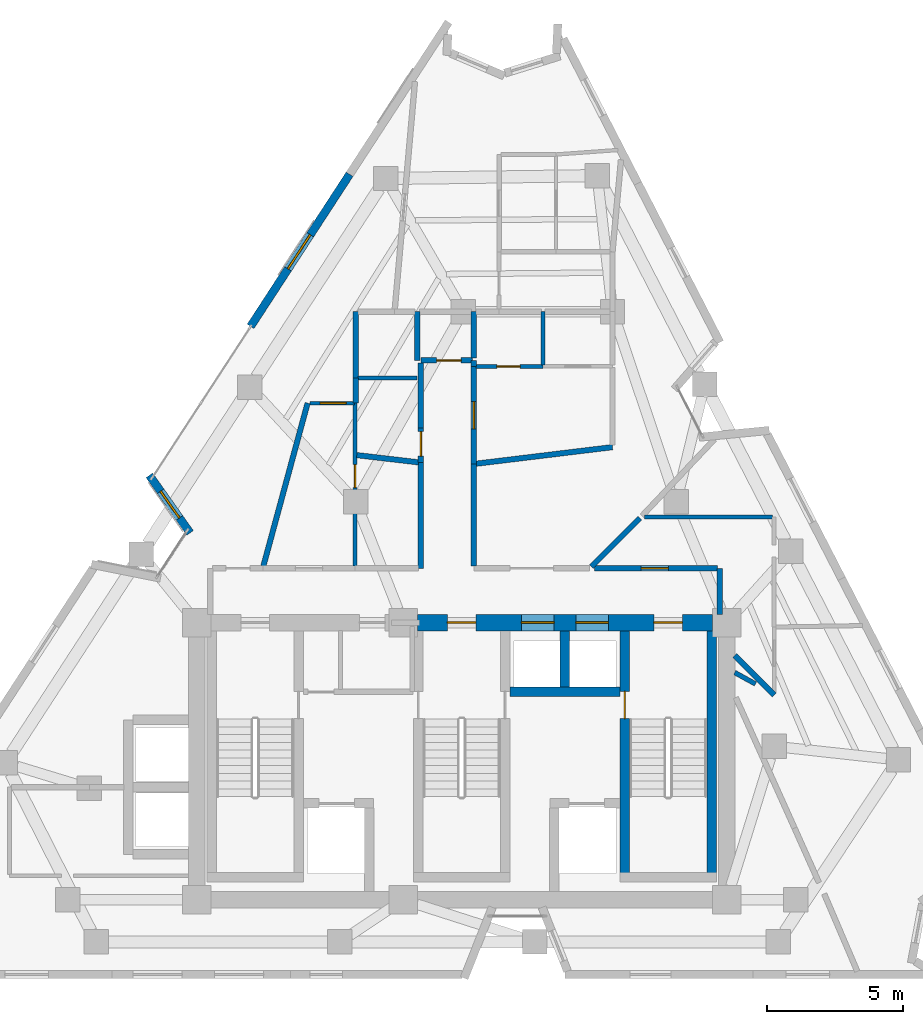
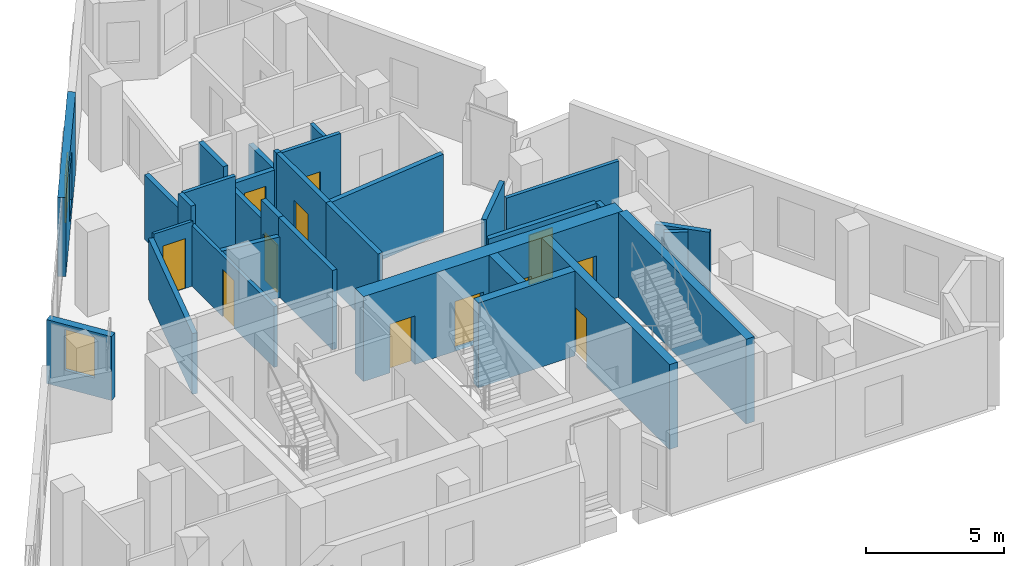
# One storey, part 6 of 9: 32 walls, 12 doors, 2 windows, 14 openings.
"""IFC4 building model written with IfcOpenShell, lengths in metres."""

import ifcopenshell
import ifcopenshell.guid

model = None  # the IFC model being written
_history = None  # IfcOwnerHistory: only IFC2X3 demands one
_inside = {}  # id of a spatial element -> (the spatial element, [elements in it])
_under = {}  # id of a project, library or spatial element -> (it, [spatial elements below it])
_declared = {}  # id of a project -> (the project, [libraries it declares])
_typed = {}  # id of a type object -> (the type object, [elements of that type])
_made_of = {}  # id of a material, layer set ... -> (it, [elements and type objects made of it])


def new_model(schema):
    """Start an empty IFC model of exactly this schema.

    Asked for "IFC4X3", IfcOpenShell would pick the latest addendum, in which some entities
    have other attributes; the version numbers below select the first issue.
    IFC2X3 requires an IfcOwnerHistory on every rooted entity: one is made here for all.
    """
    global model, _history
    if schema == "IFC4X3":
        model = ifcopenshell.file(schema_version=(4, 3, 0, 0))
    else:
        model = ifcopenshell.file(schema=schema)
    _inside.clear()
    _under.clear()
    _declared.clear()
    _typed.clear()
    _made_of.clear()
    _history = None
    if model.schema == "IFC2X3":
        org = make("IfcOrganization", Name="unknown")
        user = make(
            "IfcPersonAndOrganization",
            ThePerson=make("IfcPerson", FamilyName="unknown"),
            TheOrganization=org,
        )
        app = make(
            "IfcApplication",
            ApplicationDeveloper=org,
            Version="unknown",
            ApplicationFullName="unknown",
            ApplicationIdentifier="unknown",
        )
        _history = make(
            "IfcOwnerHistory",
            OwningUser=user,
            OwningApplication=app,
            ChangeAction="ADDED",
            CreationDate=0,
        )
    return model


def make(cls, **values):
    """One entity of the class cls with the attributes given. An attribute that is None is left unset."""
    return model.create_entity(
        cls, **{name: value for name, value in values.items() if value is not None}
    )


def rooted(cls, **values):
    """An entity with a GlobalId (a new one), such as an element, a storey or a relation."""
    return make(cls, GlobalId=ifcopenshell.guid.new(), OwnerHistory=_history, **values)


def si_unit(unit_type, name, prefix=None):
    """IfcSIUnit, for example si_unit("LENGTHUNIT", "METRE", prefix="MILLI")."""
    return make("IfcSIUnit", UnitType=unit_type, Prefix=prefix, Name=name)


def assignment(units):
    """IfcUnitAssignment: the units of a project."""
    return None if units is None else make("IfcUnitAssignment", Units=units)


def point(xyz):
    """IfcCartesianPoint."""
    return None if xyz is None else make("IfcCartesianPoint", Coordinates=xyz)


def direction(xyz):
    """IfcDirection."""
    return None if xyz is None else make("IfcDirection", DirectionRatios=xyz)


def frame(location, z_axis=None, x_axis=None):
    """IfcAxis2Placement3D, a coordinate frame: its origin and axes. An axis left out is left unset."""
    return make(
        "IfcAxis2Placement3D",
        Location=point(location),
        Axis=direction(z_axis),
        RefDirection=direction(x_axis),
    )


def frame_2d(location, x_axis=None):
    """IfcAxis2Placement2D, a coordinate frame in the plane: its origin and x axis."""
    return make(
        "IfcAxis2Placement2D", Location=point(location), RefDirection=direction(x_axis)
    )


def origin():
    """The frame at (0, 0, 0) with its axes left unset."""
    return frame((0.0, 0.0, 0.0))


def place(relative_to, where):
    """IfcLocalPlacement: puts the frame where relative to a parent placement (None: the world)."""
    return make(
        "IfcLocalPlacement", PlacementRelTo=relative_to, RelativePlacement=where
    )


def context(
    kind, dimensions, precision=None, world=None, true_north=None, identifier=None
):
    """IfcGeometricRepresentationContext, for example the 3D "Model" context."""
    return make(
        "IfcGeometricRepresentationContext",
        ContextIdentifier=identifier,
        ContextType=kind,
        CoordinateSpaceDimension=dimensions,
        Precision=precision,
        WorldCoordinateSystem=world,
        TrueNorth=true_north,
    )


def subcontext(parent, identifier, kind, view, scale=None):
    """IfcGeometricRepresentationSubContext, for example "Body" below "Model"."""
    return make(
        "IfcGeometricRepresentationSubContext",
        ContextIdentifier=identifier,
        ContextType=kind,
        ParentContext=parent,
        TargetScale=scale,
        TargetView=view,
    )


def project(units=None, contexts=None):
    """IfcProject with its units and contexts."""
    return rooted(
        "IfcProject",
        Name="project",
        RepresentationContexts=contexts,
        UnitsInContext=assignment(units),
    )


def spatial(cls, under=None, at=None, **own):
    """A site, building, storey or space (cls), placed at a placement, below another one or the project."""
    s = rooted(cls, ObjectPlacement=at, **own)
    if under is not None:
        _under.setdefault(under.id(), (under, []))[1].append(s)
    return s


def profile(cls, at=None, kind="AREA", **sizes):
    """A parametric profile (cls). Its sizes go by their IFC names, for example OverallWidth=200.0."""
    return make(cls, ProfileType=kind, Position=at, **sizes)


def rectangle(**sizes):
    """IfcRectangleProfileDef."""
    return profile("IfcRectangleProfileDef", **sizes)


def extrude(swept, where, along, depth):
    """IfcExtrudedAreaSolid: the profile swept, set in the frame where, extruded along a direction by depth."""
    return make(
        "IfcExtrudedAreaSolid",
        SweptArea=swept,
        Position=where,
        ExtrudedDirection=direction(along),
        Depth=depth,
    )


def shape(context_of_items, identifier, shape_type, items):
    """IfcShapeRepresentation: the items that make up one representation, for example the "Body"."""
    return make(
        "IfcShapeRepresentation",
        ContextOfItems=context_of_items,
        RepresentationIdentifier=identifier,
        RepresentationType=shape_type,
        Items=items,
    )


def material(Name=None, Category=None):
    """IfcMaterial."""
    return make("IfcMaterial", Name=Name, Category=Category)


def layer(
    of_material, thickness, ventilated=None, Name=None, Category=None, Priority=None
):
    """IfcMaterialLayer: one layer of a wall or slab, of a material (None: an air gap)."""
    return make(
        "IfcMaterialLayer",
        Material=of_material,
        LayerThickness=thickness,
        IsVentilated=ventilated,
        Name=Name,
        Category=Category,
        Priority=Priority,
    )


def layer_set(layers, Name=None):
    """IfcMaterialLayerSet."""
    return make("IfcMaterialLayerSet", MaterialLayers=layers, LayerSetName=Name)


def made_of(thing, what):
    """Note that an element or type object is made of a material, layer set ...; save() writes the relation."""
    if what is not None:
        _made_of.setdefault(what.id(), (what, []))[1].append(thing)
    return thing


def type_object(cls, material=None, **own):
    """A type object (cls), such as IfcWallType, which elements share."""
    return made_of(rooted(cls, **own), material)


def element(
    cls,
    number,
    at=None,
    inside=None,
    cuts=None,
    type_object=None,
    material=None,
    context=None,
    identifier="Body",
    shape_type=None,
    held_by="IfcProductDefinitionShape",
    body=None,
    shapes=None,
    **own,
):
    """One element of the class cls, such as IfcWall. Its Tag is "e" and its number.

    at: its placement. inside: the storey or other place that contains it. cuts: it is an
    opening in that element (IfcRelVoidsElement). A single representation is given by context,
    identifier, shape_type and body (its items); several are given by shapes. held_by: the class
    of the entity that holds the representations. save() writes the other relations.
    """
    e = rooted(cls, Tag="e%d" % number, ObjectPlacement=at, **own)
    if body is not None:
        shapes = [shape(context, identifier, shape_type, body)]
    if shapes is not None:
        e.Representation = make(held_by, Representations=shapes)
    if inside is not None:
        _inside.setdefault(inside.id(), (inside, []))[1].append(e)
    if cuts is not None:
        rooted(
            "IfcRelVoidsElement", RelatingBuildingElement=cuts, RelatedOpeningElement=e
        )
    if type_object is not None:
        _typed.setdefault(type_object.id(), (type_object, []))[1].append(e)
    return made_of(e, material)


def fill(opening, filler):
    """IfcRelFillsElement: the door or window that sits in an opening."""
    return rooted(
        "IfcRelFillsElement",
        RelatingOpeningElement=opening,
        RelatedBuildingElement=filler,
    )


def aggregate(whole, parts):
    """IfcRelAggregates: a whole, such as a stair, and the parts it consists of."""
    return rooted("IfcRelAggregates", RelatingObject=whole, RelatedObjects=parts)


def save(model, path):
    """Write the relations noted so far, then the file.

    IfcRelAggregates (storeys below a building ...), IfcRelContainedInSpatialStructure (elements
    in a storey), IfcRelDefinesByType, IfcRelAssociatesMaterial and IfcRelDeclares: one each for
    every whole, place, type object, material and project.
    """
    for whole, parts in _under.values():
        aggregate(whole, parts)
    for where, things in _inside.values():
        rooted(
            "IfcRelContainedInSpatialStructure",
            RelatedElements=things,
            RelatingStructure=where,
        )
    for kind, things in _typed.values():
        rooted("IfcRelDefinesByType", RelatedObjects=things, RelatingType=kind)
    for what, things in _made_of.values():
        rooted("IfcRelAssociatesMaterial", RelatedObjects=things, RelatingMaterial=what)
    for by, libraries in _declared.values():
        rooted("IfcRelDeclares", RelatingContext=by, RelatedDefinitions=libraries)
    model.write(path)


model = new_model("IFC4")

# Units and contexts
model_context = context("Model", 3, precision=1e-05, world=origin(), true_north=direction((0.0, 1.0)))
body_context = subcontext(model_context, "Body", "Model", "MODEL_VIEW")
ifc_project = project(units=[si_unit("LENGTHUNIT", "METRE"), si_unit("AREAUNIT", "SQUARE_METRE"), si_unit("VOLUMEUNIT", "CUBIC_METRE"), si_unit("PLANEANGLEUNIT", "RADIAN"), si_unit("MASSUNIT", "GRAM", prefix="KILO")], contexts=[model_context])

# Site, building, storey
site_placement = place(None, origin())
site = spatial("IfcSite", under=ifc_project, at=site_placement, CompositionType="ELEMENT")
building_placement = place(site_placement, origin())
building = spatial("IfcBuilding", under=site, at=building_placement, Name="Almagre Mirador Tower", CompositionType="ELEMENT")
storey_placement = place(building_placement, frame((0.0, 0.0, 214.5)))
storey = spatial("IfcBuildingStorey", under=building, at=storey_placement, Name="L55", CompositionType="ELEMENT", Elevation=214.5)

# Wall, opening, window
ifc_material_1 = material(Name="Precast concrete C50/60", Category="concrete")
ifc_layer_1 = layer(ifc_material_1, 0.300048828125)
ifc_layer_set_1 = layer_set([ifc_layer_1], Name="Precast concrete C50/60")
wall_type_1 = type_object("IfcWallType", Name="WAL-EXT-300", PredefinedType="SOLIDWALL", material=ifc_layer_set_1)
wall_1_placement = place(storey_placement, frame((27.3017578125, 18.052490234375, 0.0), z_axis=(0.0, 0.0, 1.0), x_axis=(-0.576912262752, 0.816806122092, 0.0)))
wall_1 = element("IfcWall", 1, at=wall_1_placement, inside=storey, type_object=wall_type_1, Name="L55 expressed almagre precast frame wall 02", PredefinedType="SOLIDWALL", context=body_context, shape_type="SweptSolid", body=[
    extrude(rectangle(XDim=2.59423828125, YDim=0.300048828125, at=frame_2d((1.297119140625, 0.0))), origin(), (0.0, 0.0, 1.0), 2.824951171875),
])
opening_1_placement = place(wall_1_placement, frame((0.675048828125, 0.0, 0.800048828125)))
opening_1 = element("IfcOpeningElement", 2, at=opening_1_placement, cuts=wall_1, Name="Opening WN-04", PredefinedType="OPENING", context=body_context, shape_type="SweptSolid", body=[
    extrude(rectangle(XDim=1.199951171875, YDim=1.800048828125, at=frame_2d((0.60009765625, 0.89990234375))), frame((0.0, 0.159902, 0.0), z_axis=(0.0, -1.0, 0.0), x_axis=(1.0, 0.0, 0.0)), (0.0, 0.0, 1.0), 0.320049),
])
ifc_material_2 = material(Name="Dark solar-control laminated hurricane glass", Category="glass")
window_type_1 = type_object("IfcWindowType", Name="WIN-1200X1800", PartitioningType="SINGLE_PANEL", PredefinedType="WINDOW", material=ifc_material_2)
window_1_placement = place(opening_1_placement, origin())
window_1 = element("IfcWindow", 3, at=window_1_placement, inside=storey, type_object=window_type_1, Name="L55 recessed hurricane window L55-RST-F", OverallHeight=1.800048828125, OverallWidth=1.199951171875, PartitioningType="SINGLE_PANEL", PredefinedType="WINDOW", context=body_context, shape_type="SweptSolid", body=[
    extrude(rectangle(XDim=1.199951171875, YDim=1.800048828125, at=frame_2d((0.60009765625, 0.89990234375))), frame((0.0, 0.030029296875, 0.0), z_axis=(0.0, -1.0, 0.0), x_axis=(1.0, 0.0, 0.0)), (0.0, 0.0, 1.0), 0.06005859375),
])
fill(opening_1, window_1)

wall_2_placement = place(storey_placement, frame((29.530029296875, 25.654052734375, 0.0), z_axis=(0.0, 0.0, 1.0), x_axis=(0.545624217243, 0.838029959821, 0.0)))
wall_2 = element("IfcWall", 4, at=wall_2_placement, inside=storey, type_object=wall_type_1, Name="L55 expressed almagre precast frame wall 03", PredefinedType="SOLIDWALL", context=body_context, shape_type="SweptSolid", body=[
    extrude(rectangle(XDim=6.6787109375, YDim=0.300048828125, at=frame_2d((3.33935546875, 0.0))), origin(), (0.0, 0.0, 1.0), 3.5),
])
opening_2_placement = place(wall_2_placement, frame((2.52490234375, 0.0, 0.60009765625)))
opening_2 = element("IfcOpeningElement", 5, at=opening_2_placement, cuts=wall_2, Name="Opening WN-03", PredefinedType="OPENING", context=body_context, shape_type="SweptSolid", body=[
    extrude(rectangle(XDim=1.5, YDim=2.10009765625, at=frame_2d((0.75, 1.050048828125))), frame((0.0, 0.159902, 0.0), z_axis=(0.0, -1.0, 0.0), x_axis=(1.0, 0.0, 0.0)), (0.0, 0.0, 1.0), 0.320049),
])
ifc_material_3 = material(Name="Dark solar-control laminated hurricane glass", Category="glass")
window_type_2 = type_object("IfcWindowType", Name="WIN-1500X2100", PartitioningType="DOUBLE_PANEL_VERTICAL", PredefinedType="WINDOW", material=ifc_material_3)
window_2_placement = place(opening_2_placement, origin())
window_2 = element("IfcWindow", 6, at=window_2_placement, inside=storey, type_object=window_type_2, Name="L55 recessed hurricane window L55-RST-F", OverallHeight=2.10009765625, OverallWidth=1.5, PartitioningType="SINGLE_PANEL", PredefinedType="WINDOW", context=body_context, shape_type="SweptSolid", body=[
    extrude(rectangle(XDim=1.5, YDim=2.10009765625, at=frame_2d((0.75, 1.050048828125))), frame((0.0, 0.030029296875, 0.0), z_axis=(0.0, -1.0, 0.0), x_axis=(1.0, 0.0, 0.0)), (0.0, 0.0, 1.0), 0.06005859375),
])
fill(opening_2, window_2)

# Wall, opening, door
ifc_material_4 = material(Name="Gypsum acoustic stud partition", Category="other")
ifc_layer_2 = layer(ifc_material_4, 0.125)
ifc_layer_set_2 = layer_set([ifc_layer_2], Name="Gypsum acoustic stud partition")
wall_type_2 = type_object("IfcWallType", Name="WAL-PRT-125-UTL", PredefinedType="PARTITIONING", material=ifc_layer_set_2)
wall_3_placement = place(storey_placement, frame((33.360107421875, 22.830078125, 0.0), z_axis=(0.0, 0.0, 1.0), x_axis=(-1.0, 0.0, 0.0)))
wall_3 = element("IfcWall", 7, at=wall_3_placement, inside=storey, type_object=wall_type_2, Name="L55 interior partition 047", PredefinedType="PARTITIONING", context=body_context, shape_type="SweptSolid", body=[
    extrude(rectangle(XDim=1.64501953125, YDim=0.125, at=frame_2d((0.822509765625, 0.0))), origin(), (0.0, 0.0, 1.0), 2.85888671875),
])
opening_3_placement = place(wall_3_placement, frame((0.31591796875, 0.0, 0.0)))
opening_3 = element("IfcOpeningElement", 8, at=opening_3_placement, cuts=wall_3, Name="Opening UD-01", PredefinedType="OPENING", context=body_context, shape_type="SweptSolid", body=[
    extrude(rectangle(XDim=0.949951171875, YDim=2.199951171875, at=frame_2d((0.47509765625, 1.10009765625))), frame((0.0, 0.0725, 0.0), z_axis=(0.0, -1.0, 0.0), x_axis=(1.0, 0.0, 0.0)), (0.0, 0.0, 1.0), 0.145),
])
ifc_material_5 = material(Name="Solid American walnut timber", Category="wood")
door_type_1 = type_object("IfcDoorType", Name="DOR-UNR-950X2200", OperationType="NOTDEFINED", PredefinedType="DOOR", material=ifc_material_5)
door_1_placement = place(opening_3_placement, origin())
door_1 = element("IfcDoor", 9, at=door_1_placement, inside=storey, type_object=door_type_1, Name="DR-1710 L55 interior door L55-UG-ST to L55-UG-KT", OperationType="SINGLE_SWING_LEFT", OverallHeight=2.199951171875, OverallWidth=0.949951171875, PredefinedType="DOOR", context=body_context, shape_type="SweptSolid", body=[
    extrude(rectangle(XDim=0.949951171875, YDim=2.199951171875, at=frame_2d((0.47509765625, 1.10009765625))), frame((0.0, 0.02490234375, 0.0), z_axis=(0.0, -1.0, 0.0), x_axis=(1.0, 0.0, 0.0)), (0.0, 0.0, 1.0), 0.050048828125),
])
fill(opening_3, door_1)

# Wall
ifc_material_6 = material(Name="Gypsum acoustic stud partition", Category="other")
ifc_layer_3 = layer(ifc_material_6, 0.14990234375)
ifc_layer_set_3 = layer_set([ifc_layer_3], Name="Gypsum acoustic stud partition")
wall_type_3 = type_object("IfcWallType", Name="WAL-PRT-150-STD", PredefinedType="PARTITIONING", material=ifc_layer_set_3)
wall_4_placement = place(storey_placement, frame((48.739990234375, 18.639892578125, 0.0), z_axis=(0.0, 0.0, 1.0), x_axis=(-1.0, 0.0, 0.0)))
element("IfcWall", 10, at=wall_4_placement, inside=storey, type_object=wall_type_3, Name="L55 interior partition 038", PredefinedType="PARTITIONING", context=body_context, shape_type="SweptSolid", body=[
    extrude(rectangle(XDim=4.705078125, YDim=0.14990234375, at=frame_2d((2.3525390625, 0.0))), origin(), (0.0, 0.0, 1.0), 2.68505859375),
])

# Wall, opening, door
wall_5_placement = place(storey_placement, frame((33.3798828125, 22.830078125, 0.0), z_axis=(0.0, 0.0, 1.0), x_axis=(0.0, -1.0, 0.0)))
wall_5 = element("IfcWall", 11, at=wall_5_placement, inside=storey, type_object=wall_type_3, Name="L55 interior partition 046", PredefinedType="PARTITIONING", context=body_context, shape_type="SweptSolid", body=[
    extrude(rectangle(XDim=5.9951171875, YDim=0.14990234375, at=frame_2d((2.99755859375, 0.0))), origin(), (0.0, 0.0, 1.0), 2.68505859375),
])
opening_4_placement = place(wall_5_placement, frame((2.261474609375, 0.0, 0.0)))
opening_4 = element("IfcOpeningElement", 12, at=opening_4_placement, cuts=wall_5, Name="Opening UD-04", PredefinedType="OPENING", context=body_context, shape_type="SweptSolid", body=[
    extrude(rectangle(XDim=0.85009765625, YDim=2.10009765625, at=frame_2d((0.425048828125, 1.050048828125))), frame((0.0, 0.084951, 0.0), z_axis=(0.0, -1.0, 0.0), x_axis=(1.0, 0.0, 0.0)), (0.0, 0.0, 1.0), 0.169902),
])
ifc_material_7 = material(Name="Moisture-resistant oak timber", Category="wood")
door_type_2 = type_object("IfcDoorType", Name="DOR-UNR-850X2100", OperationType="NOTDEFINED", PredefinedType="DOOR", material=ifc_material_7)
door_2_placement = place(opening_4_placement, origin())
door_2 = element("IfcDoor", 13, at=door_2_placement, inside=storey, type_object=door_type_2, Name="DR-1711 L55 interior door L55-UG-ST to L55-UG-BT", OperationType="SINGLE_SWING_RIGHT", OverallHeight=2.10009765625, OverallWidth=0.85009765625, PredefinedType="DOOR", context=body_context, shape_type="SweptSolid", body=[
    extrude(rectangle(XDim=0.85009765625, YDim=2.10009765625, at=frame_2d((0.425048828125, 1.050048828125))), frame((0.0, 0.02490234375, 0.0), z_axis=(0.0, -1.0, 0.0), x_axis=(1.0, 0.0, 0.0)), (0.0, 0.0, 1.0), 0.050048828125),
])
fill(opening_4, door_2)

# Wall
wall_6_placement = place(storey_placement, frame((35.659912109375, 23.75, 0.0), z_axis=(0.0, 0.0, 1.0), x_axis=(-1.0, 0.0, 0.0)))
element("IfcWall", 14, at=wall_6_placement, inside=storey, type_object=wall_type_3, Name="L55 interior partition 057", PredefinedType="PARTITIONING", context=body_context, shape_type="SweptSolid", body=[
    extrude(rectangle(XDim=2.1748046875, YDim=0.14990234375, at=frame_2d((1.08740234375, 0.0))), origin(), (0.0, 0.0, 1.0), 3.5),
])

# Wall, opening, door
wall_7_placement = place(storey_placement, frame((40.300048828125, 24.179931640625, 0.0), z_axis=(0.0, 0.0, 1.0), x_axis=(-1.0, 0.0, 0.0)))
wall_7 = element("IfcWall", 15, at=wall_7_placement, inside=storey, type_object=wall_type_3, Name="L55 interior partition 060", PredefinedType="PARTITIONING", context=body_context, shape_type="SweptSolid", body=[
    extrude(rectangle(XDim=2.465087890625, YDim=0.14990234375, at=frame_2d((1.232421875, 0.0))), origin(), (0.0, 0.0, 1.0), 3.5),
])
opening_5_placement = place(wall_7_placement, frame((0.85009765625, 0.0, 0.0)))
opening_5 = element("IfcOpeningElement", 16, at=opening_5_placement, cuts=wall_7, Name="Opening UD-04", PredefinedType="OPENING", context=body_context, shape_type="SweptSolid", body=[
    extrude(rectangle(XDim=0.85009765625, YDim=2.10009765625, at=frame_2d((0.425048828125, 1.050048828125))), frame((0.0, 0.084951, 0.0), z_axis=(0.0, -1.0, 0.0), x_axis=(1.0, 0.0, 0.0)), (0.0, 0.0, 1.0), 0.169902),
])
door_3_placement = place(opening_5_placement, origin())
door_3 = element("IfcDoor", 17, at=door_3_placement, inside=storey, type_object=door_type_2, Name="DR-1715 L55 interior door L55-UJ-ST to L55-UJ-BT", OperationType="SINGLE_SWING_RIGHT", OverallHeight=2.10009765625, OverallWidth=0.85009765625, PredefinedType="DOOR", context=body_context, shape_type="SweptSolid", body=[
    extrude(rectangle(XDim=0.85009765625, YDim=2.10009765625, at=frame_2d((0.425048828125, 1.050048828125))), frame((0.0, 0.02490234375, 0.0), z_axis=(0.0, -1.0, 0.0), x_axis=(1.0, 0.0, 0.0)), (0.0, 0.0, 1.0), 0.050048828125),
])
fill(opening_5, door_3)

# Walls
wall_8_placement = place(storey_placement, frame((40.300048828125, 26.199951171875, 0.0), z_axis=(0.0, 0.0, 1.0), x_axis=(0.0, -1.0, 0.0)))
element("IfcWall", 18, at=wall_8_placement, inside=storey, type_object=wall_type_3, Name="L55 interior partition 063", PredefinedType="PARTITIONING", context=body_context, shape_type="SweptSolid", body=[
    extrude(rectangle(XDim=1.972412109375, YDim=0.14990234375, at=frame_2d((0.986328125, 0.0))), origin(), (0.0, 0.0, 1.0), 2.68505859375),
])
ifc_material_8 = material(Name="Gypsum acoustic stud partition", Category="other")
ifc_layer_4 = layer(ifc_material_8, 0.175048828125)
ifc_layer_set_4 = layer_set([ifc_layer_4], Name="Gypsum acoustic stud partition")
wall_type_4 = type_object("IfcWallType", Name="WAL-PRT-175-AC", PredefinedType="PARTITIONING", material=ifc_layer_set_4)
wall_9_placement = place(storey_placement, frame((47.35009765625, 12.9140625, 0.0), z_axis=(0.0, 0.0, 1.0), x_axis=(0.876281108122, -0.481800186331, 0.0)))
element("IfcWall", 19, at=wall_9_placement, inside=storey, type_object=wall_type_4, Name="L55 interior partition 078", PredefinedType="PARTITIONING", context=body_context, shape_type="SweptSolid", body=[
    extrude(rectangle(XDim=0.86962890625, YDim=0.175048828125, at=frame_2d((0.434814453125, 0.0))), origin(), (0.0, 0.0, 1.0), 3.5),
])
ifc_material_9 = material(Name="Gypsum acoustic stud partition", Category="other")
ifc_layer_5 = layer(ifc_material_9, 0.199951171875)
ifc_layer_set_5 = layer_set([ifc_layer_5], Name="Gypsum acoustic stud partition")
wall_type_5 = type_object("IfcWallType", Name="WAL-PRT-200-EI60", PredefinedType="PARTITIONING", material=ifc_layer_set_5)
wall_10_placement = place(storey_placement, frame((46.800048828125, 15.050048828125, 0.0), z_axis=(0.0, 0.0, 1.0), x_axis=(0.0, 1.0, 0.0)))
element("IfcWall", 20, at=wall_10_placement, inside=storey, type_object=wall_type_5, Name="L55 interior partition 002", PredefinedType="PARTITIONING", context=body_context, shape_type="SweptSolid", body=[
    extrude(rectangle(XDim=1.699951171875, YDim=0.199951171875, at=frame_2d((0.85009765625, 0.0))), origin(), (0.0, 0.0, 1.0), 2.68505859375),
])

# Wall, opening, door
wall_11_placement = place(storey_placement, frame((46.715087890625, 16.75, 0.0), z_axis=(0.0, 0.0, 1.0), x_axis=(-1.0, 0.0, 0.0)))
wall_11 = element("IfcWall", 21, at=wall_11_placement, inside=storey, type_object=wall_type_5, Name="L55 interior partition 003", PredefinedType="PARTITIONING", context=body_context, shape_type="SweptSolid", body=[
    extrude(rectangle(XDim=4.53515625, YDim=0.199951171875, at=frame_2d((2.267578125, 0.0))), origin(), (0.0, 0.0, 1.0), 2.68505859375),
])
opening_6_placement = place(wall_11_placement, frame((1.81005859375, 0.0, 0.0)))
opening_6 = element("IfcOpeningElement", 22, at=opening_6_placement, cuts=wall_11, Name="Opening ID-01", PredefinedType="OPENING", context=body_context, shape_type="SweptSolid", body=[
    extrude(rectangle(XDim=1.0, YDim=2.199951171875, at=frame_2d((0.5, 1.10009765625))), frame((0.0, 0.110098, 0.0), z_axis=(0.0, -1.0, 0.0), x_axis=(1.0, 0.0, 0.0)), (0.0, 0.0, 1.0), 0.219951),
])
ifc_material_10 = material(Name="Fire-rated walnut timber", Category="wood")
door_type_3 = type_object("IfcDoorType", Name="DOR-FD60-1000X2200", OperationType="NOTDEFINED", PredefinedType="DOOR", material=ifc_material_10)
door_4_placement = place(opening_6_placement, origin())
door_4 = element("IfcDoor", 23, at=door_4_placement, inside=storey, type_object=door_type_3, Name="DR-1707 L55 interior door L55-RCOR to L55-UE-ST", OperationType="SINGLE_SWING_LEFT", OverallHeight=2.199951171875, OverallWidth=1.0, PredefinedType="DOOR", context=body_context, shape_type="SweptSolid", body=[
    extrude(rectangle(XDim=1.0, YDim=2.199951171875, at=frame_2d((0.5, 1.10009765625))), frame((0.0, 0.02490234375, 0.0), z_axis=(0.0, -1.0, 0.0), x_axis=(1.0, 0.0, 0.0)), (0.0, 0.0, 1.0), 0.050048828125),
])
fill(opening_6, door_4)

# Wall
wall_12_placement = place(storey_placement, frame((35.800048828125, 20.639892578125, 0.0), z_axis=(0.0, 0.0, 1.0), x_axis=(0.0, -1.0, 0.0)))
element("IfcWall", 24, at=wall_12_placement, inside=storey, type_object=wall_type_5, Name="L55 interior partition 006", PredefinedType="PARTITIONING", context=body_context, shape_type="SweptSolid", body=[
    extrude(rectangle(XDim=3.889892578125, YDim=0.199951171875, at=frame_2d((1.94482421875, 0.0))), origin(), (0.0, 0.0, 1.0), 3.5),
])

# Wall, opening, door
wall_13_placement = place(storey_placement, frame((37.705078125, 24.39990234375, 0.0), z_axis=(0.0, 0.0, 1.0), x_axis=(-1.0, 0.0, 0.0)))
wall_13 = element("IfcWall", 25, at=wall_13_placement, inside=storey, type_object=wall_type_5, Name="L55 interior partition 008", PredefinedType="PARTITIONING", context=body_context, shape_type="SweptSolid", body=[
    extrude(rectangle(XDim=1.905029296875, YDim=0.199951171875, at=frame_2d((0.95263671875, 0.0))), origin(), (0.0, 0.0, 1.0), 2.68505859375),
])
opening_7_placement = place(wall_13_placement, frame((0.425048828125, 0.0, 0.0)))
opening_7 = element("IfcOpeningElement", 26, at=opening_7_placement, cuts=wall_13, Name="Opening ID-03", PredefinedType="OPENING", context=body_context, shape_type="SweptSolid", body=[
    extrude(rectangle(XDim=0.89990234375, YDim=2.10009765625, at=frame_2d((0.449951171875, 1.050048828125))), frame((0.0, 0.110098, 0.0), z_axis=(0.0, -1.0, 0.0), x_axis=(1.0, 0.0, 0.0)), (0.0, 0.0, 1.0), 0.219951),
])
ifc_material_11 = material(Name="Fire-rated hollow steel", Category="steel")
door_type_4 = type_object("IfcDoorType", Name="DOR-FD60-900X2100", OperationType="NOTDEFINED", PredefinedType="DOOR", material=ifc_material_11)
door_5_placement = place(opening_7_placement, origin())
door_5 = element("IfcDoor", 27, at=door_5_placement, inside=storey, type_object=door_type_4, Name="DR-1706 L55 interior door L55-RCOR to L55-UH-ST", OperationType="SINGLE_SWING_RIGHT", OverallHeight=2.10009765625, OverallWidth=0.89990234375, PredefinedType="DOOR", context=body_context, shape_type="SweptSolid", body=[
    extrude(rectangle(XDim=0.89990234375, YDim=2.10009765625, at=frame_2d((0.449951171875, 1.050048828125))), frame((0.0, 0.02490234375, 0.0), z_axis=(0.0, -1.0, 0.0), x_axis=(1.0, 0.0, 0.0)), (0.0, 0.0, 1.0), 0.050048828125),
])
fill(opening_7, door_5)

# Wall
wall_14_placement = place(storey_placement, frame((35.800048828125, 24.31494140625, 0.0), z_axis=(0.0, 0.0, 1.0), x_axis=(0.0, -1.0, 0.0)))
element("IfcWall", 28, at=wall_14_placement, inside=storey, type_object=wall_type_5, Name="L55 interior partition 009", PredefinedType="PARTITIONING", context=body_context, shape_type="SweptSolid", body=[
    extrude(rectangle(XDim=2.39501953125, YDim=0.199951171875, at=frame_2d((1.197509765625, 0.0))), origin(), (0.0, 0.0, 1.0), 2.68505859375),
])

# Wall, opening, door
wall_15_placement = place(storey_placement, frame((35.800048828125, 21.919921875, 0.0), z_axis=(0.0, 0.0, 1.0), x_axis=(0.0, -1.0, 0.0)))
wall_15 = element("IfcWall", 29, at=wall_15_placement, inside=storey, type_object=wall_type_5, Name="L55 interior partition 010", PredefinedType="PARTITIONING", context=body_context, shape_type="SweptSolid", body=[
    extrude(rectangle(XDim=1.280029296875, YDim=0.199951171875, at=frame_2d((0.64013671875, 0.0))), origin(), (0.0, 0.0, 1.0), 3.5),
])
opening_8_placement = place(wall_15_placement, frame((0.139892578125, 0.0, 0.0)))
opening_8 = element("IfcOpeningElement", 30, at=opening_8_placement, cuts=wall_15, Name="Opening ID-03", PredefinedType="OPENING", context=body_context, shape_type="SweptSolid", body=[
    extrude(rectangle(XDim=0.89990234375, YDim=2.10009765625, at=frame_2d((0.449951171875, 1.050048828125))), frame((0.0, 0.110098, 0.0), z_axis=(0.0, -1.0, 0.0), x_axis=(1.0, 0.0, 0.0)), (0.0, 0.0, 1.0), 0.219951),
])
door_6_placement = place(opening_8_placement, origin())
door_6 = element("IfcDoor", 31, at=door_6_placement, inside=storey, type_object=door_type_4, Name="DR-1712 L55 interior door L55-RCOR to L55-UH-KT", OperationType="SINGLE_SWING_RIGHT", OverallHeight=2.10009765625, OverallWidth=0.89990234375, PredefinedType="DOOR", context=body_context, shape_type="SweptSolid", body=[
    extrude(rectangle(XDim=0.89990234375, YDim=2.10009765625, at=frame_2d((0.449951171875, 1.050048828125))), frame((0.0, 0.02490234375, 0.0), z_axis=(0.0, -1.0, 0.0), x_axis=(1.0, 0.0, 0.0)), (0.0, 0.0, 1.0), 0.050048828125),
])
fill(opening_8, door_6)

wall_16_placement = place(storey_placement, frame((37.75, 20.590087890625, 0.0), z_axis=(0.0, 0.0, 1.0), x_axis=(0.0, 1.0, 0.0)))
wall_16 = element("IfcWall", 32, at=wall_16_placement, inside=storey, type_object=wall_type_5, Name="L55 interior partition 011", PredefinedType="PARTITIONING", context=body_context, shape_type="SweptSolid", body=[
    extrude(rectangle(XDim=3.58984375, YDim=0.199951171875, at=frame_2d((1.794921875, 0.0))), origin(), (0.0, 0.0, 1.0), 3.5),
])
opening_9_placement = place(wall_16_placement, frame((1.294921875, 0.0, 0.0)))
opening_9 = element("IfcOpeningElement", 33, at=opening_9_placement, cuts=wall_16, Name="Opening ID-01", PredefinedType="OPENING", context=body_context, shape_type="SweptSolid", body=[
    extrude(rectangle(XDim=1.0, YDim=2.199951171875, at=frame_2d((0.5, 1.10009765625))), frame((0.0, 0.110098, 0.0), z_axis=(0.0, -1.0, 0.0), x_axis=(1.0, 0.0, 0.0)), (0.0, 0.0, 1.0), 0.219951),
])
door_7_placement = place(opening_9_placement, origin())
door_7 = element("IfcDoor", 34, at=door_7_placement, inside=storey, type_object=door_type_3, Name="DR-1713 L55 interior door L55-RCOR to L55-UJ-ST", OperationType="SINGLE_SWING_RIGHT", OverallHeight=2.199951171875, OverallWidth=1.0, PredefinedType="DOOR", context=body_context, shape_type="SweptSolid", body=[
    extrude(rectangle(XDim=1.0, YDim=2.199951171875, at=frame_2d((0.5, 1.10009765625))), frame((0.0, 0.02490234375, 0.0), z_axis=(0.0, -1.0, 0.0), x_axis=(1.0, 0.0, 0.0)), (0.0, 0.0, 1.0), 0.050048828125),
])
fill(opening_9, door_7)

# Walls
wall_17_placement = place(storey_placement, frame((37.75, 24.179931640625, 0.0), z_axis=(0.0, 0.0, 1.0), x_axis=(0.0, 1.0, 0.0)))
element("IfcWall", 35, at=wall_17_placement, inside=storey, type_object=wall_type_5, Name="L55 interior partition 012", PredefinedType="PARTITIONING", context=body_context, shape_type="SweptSolid", body=[
    extrude(rectangle(XDim=0.219970703125, YDim=0.199951171875, at=frame_2d((0.10986328125, 0.0))), origin(), (0.0, 0.0, 1.0), 3.5),
])
wall_18_placement = place(storey_placement, frame((37.75, 16.8349609375, 0.0), z_axis=(0.0, 0.0, 1.0), x_axis=(0.0, 1.0, 0.0)))
element("IfcWall", 36, at=wall_18_placement, inside=storey, type_object=wall_type_5, Name="L55 interior partition 014", PredefinedType="PARTITIONING", context=body_context, shape_type="SweptSolid", body=[
    extrude(rectangle(XDim=3.755126953125, YDim=0.199951171875, at=frame_2d((1.87744140625, 0.0))), origin(), (0.0, 0.0, 1.0), 3.5),
])
wall_19_placement = place(storey_placement, frame((48.800048828125, 12.090087890625, 0.0), z_axis=(0.0, 0.0, 1.0), x_axis=(-0.707106781187, 0.707106781187, 0.0)))
element("IfcWall", 37, at=wall_19_placement, inside=storey, type_object=wall_type_5, Name="L55 interior partition 029", PredefinedType="PARTITIONING", context=body_context, shape_type="SweptSolid", body=[
    extrude(rectangle(XDim=2.050537109375, YDim=0.199951171875, at=frame_2d((1.025390625, 0.0))), origin(), (0.0, 0.0, 1.0), 3.5),
])
wall_20_placement = place(storey_placement, frame((43.857666015625, 18.59765625, 0.0), z_axis=(0.0, 0.0, 1.0), x_axis=(-0.707106781187, -0.707106781187, 0.0)))
element("IfcWall", 38, at=wall_20_placement, inside=storey, type_object=wall_type_5, Name="L55 interior partition 040", PredefinedType="PARTITIONING", context=body_context, shape_type="SweptSolid", body=[
    extrude(rectangle(XDim=2.528076171875, YDim=0.199951171875, at=frame_2d((1.26416015625, 0.0))), origin(), (0.0, 0.0, 1.0), 3.5),
])
wall_21_placement = place(storey_placement, frame((30.002197265625, 16.83203125, 0.0), z_axis=(0.0, 0.0, 1.0), x_axis=(0.261897318596, 0.965095743702, 0.0)))
element("IfcWall", 39, at=wall_21_placement, inside=storey, type_object=wall_type_5, Name="L55 interior partition 043", PredefinedType="PARTITIONING", context=body_context, shape_type="SweptSolid", body=[
    extrude(rectangle(XDim=6.215087890625, YDim=0.199951171875, at=frame_2d((3.107421875, 0.0))), origin(), (0.0, 0.0, 1.0), 2.68505859375),
])
wall_22_placement = place(storey_placement, frame((35.715576171875, 20.64990234375, 0.0), z_axis=(0.0, 0.0, 1.0), x_axis=(-0.993270086926, 0.11582113114, 0.0)))
element("IfcWall", 40, at=wall_22_placement, inside=storey, type_object=wall_type_5, Name="L55 interior partition 048", PredefinedType="PARTITIONING", context=body_context, shape_type="SweptSolid", body=[
    extrude(rectangle(XDim=2.291259765625, YDim=0.199951171875, at=frame_2d((1.1455078125, 0.0))), origin(), (0.0, 0.0, 1.0), 2.68505859375),
])
wall_23_placement = place(storey_placement, frame((33.39990234375, 22.830078125, 0.0), z_axis=(0.0, 0.0, 1.0), x_axis=(0.0, 1.0, 0.0)))
element("IfcWall", 41, at=wall_23_placement, inside=storey, type_object=wall_type_5, Name="L55 interior partition 049", PredefinedType="PARTITIONING", context=body_context, shape_type="SweptSolid", body=[
    extrude(rectangle(XDim=0.919921875, YDim=0.199951171875, at=frame_2d((0.4599609375, 0.0))), origin(), (0.0, 0.0, 1.0), 3.5),
])
wall_24_placement = place(storey_placement, frame((33.39990234375, 23.75, 0.0), z_axis=(0.0, 0.0, 1.0), x_axis=(0.0, 1.0, 0.0)))
element("IfcWall", 42, at=wall_24_placement, inside=storey, type_object=wall_type_5, Name="L55 interior partition 050", PredefinedType="PARTITIONING", context=body_context, shape_type="SweptSolid", body=[
    extrude(rectangle(XDim=2.449951171875, YDim=0.199951171875, at=frame_2d((1.22509765625, 0.0))), origin(), (0.0, 0.0, 1.0), 2.85888671875),
])
wall_25_placement = place(storey_placement, frame((35.659912109375, 26.199951171875, 0.0), z_axis=(0.0, 0.0, 1.0), x_axis=(0.0, -1.0, 0.0)))
element("IfcWall", 43, at=wall_25_placement, inside=storey, type_object=wall_type_5, Name="L55 interior partition 054", PredefinedType="PARTITIONING", context=body_context, shape_type="SweptSolid", body=[
    extrude(rectangle(XDim=1.800048828125, YDim=0.199951171875, at=frame_2d((0.89990234375, 0.0))), origin(), (0.0, 0.0, 1.0), 3.5),
])
wall_26_placement = place(storey_placement, frame((37.75, 24.485107421875, 0.0), z_axis=(0.0, 0.0, 1.0), x_axis=(0.0, 1.0, 0.0)))
element("IfcWall", 44, at=wall_26_placement, inside=storey, type_object=wall_type_5, Name="L55 interior partition 055", PredefinedType="PARTITIONING", context=body_context, shape_type="SweptSolid", body=[
    extrude(rectangle(XDim=1.71484375, YDim=0.199951171875, at=frame_2d((0.857421875, 0.0))), origin(), (0.0, 0.0, 1.0), 2.68505859375),
])
wall_27_placement = place(storey_placement, frame((37.83447265625, 20.600341796875, 0.0), z_axis=(0.0, 0.0, 1.0), x_axis=(0.992694372952, 0.120656047959, 0.0)))
element("IfcWall", 45, at=wall_27_placement, inside=storey, type_object=wall_type_5, Name="L55 interior partition 061", PredefinedType="PARTITIONING", context=body_context, shape_type="SweptSolid", body=[
    extrude(rectangle(XDim=5.052490234375, YDim=0.199951171875, at=frame_2d((2.5263671875, 0.0))), origin(), (0.0, 0.0, 1.0), 3.5),
])

# Wall, opening, door
ifc_material_12 = material(Name="Concrete C60/75", Category="concrete")
ifc_layer_6 = layer(ifc_material_12, 0.35009765625)
ifc_layer_set_6 = layer_set([ifc_layer_6], Name="Concrete C60/75")
wall_type_6 = type_object("IfcWallType", Name="WAL-SHF-350", PredefinedType="SOLIDWALL", material=ifc_layer_set_6)
wall_28_placement = place(storey_placement, frame((43.300048828125, 5.199951171875, 0.0), z_axis=(0.0, 0.0, 1.0), x_axis=(0.0, 1.0, 0.0)))
wall_28 = element("IfcWall", 46, at=wall_28_placement, inside=storey, type_object=wall_type_6, Name="L55 shaft wall ST3-W", PredefinedType="SOLIDWALL", context=body_context, shape_type="SweptSolid", body=[
    extrude(rectangle(XDim=9.25, YDim=0.35009765625, at=frame_2d((4.625, 0.0))), origin(), (0.0, 0.0, 1.0), 3.75),
])
opening_10_placement = place(wall_28_placement, frame((6.02001953125, 0.0, 0.0)))
opening_10 = element("IfcOpeningElement", 47, at=opening_10_placement, cuts=wall_28, Name="Opening FD-01", PredefinedType="OPENING", context=body_context, shape_type="SweptSolid", body=[
    extrude(rectangle(XDim=1.0, YDim=2.14990234375, at=frame_2d((0.5, 1.074951171875))), frame((0.0, 0.185049, 0.0), z_axis=(0.0, -1.0, 0.0), x_axis=(1.0, 0.0, 0.0)), (0.0, 0.0, 1.0), 0.370098),
])
ifc_material_13 = material(Name="Fire-rated hollow steel", Category="steel")
door_type_5 = type_object("IfcDoorType", Name="DOR-FFL-1000X2150", OperationType="NOTDEFINED", PredefinedType="DOOR", material=ifc_material_13)
door_8_placement = place(opening_10_placement, origin())
door_8 = element("IfcDoor", 48, at=door_8_placement, inside=storey, type_object=door_type_5, Name="DR-1703 L55 FFL2-ST3 smokeproof door", OperationType="SINGLE_SWING_RIGHT", OverallHeight=2.14990234375, OverallWidth=1.0, PredefinedType="DOOR", context=body_context, shape_type="SweptSolid", body=[
    extrude(rectangle(XDim=1.0, YDim=2.14990234375, at=frame_2d((0.5, 1.074951171875))), frame((0.0, 0.02490234375, 0.0), z_axis=(0.0, -1.0, 0.0), x_axis=(1.0, 0.0, 0.0)), (0.0, 0.0, 1.0), 0.050048828125),
])
fill(opening_10, door_8)

# Walls
wall_29_placement = place(storey_placement, frame((46.5, 5.199951171875, 0.0), z_axis=(0.0, 0.0, 1.0), x_axis=(0.0, 1.0, 0.0)))
element("IfcWall", 49, at=wall_29_placement, inside=storey, type_object=wall_type_6, Name="L55 shaft wall ST3-E", PredefinedType="SOLIDWALL", context=body_context, shape_type="SweptSolid", body=[
    extrude(rectangle(XDim=9.25, YDim=0.35009765625, at=frame_2d((4.625, 0.0))), origin(), (0.0, 0.0, 1.0), 3.75),
])
wall_30_placement = place(storey_placement, frame((39.074951171875, 12.199951171875, 0.0), z_axis=(0.0, 0.0, 1.0), x_axis=(1.0, 0.0, 0.0)))
element("IfcWall", 50, at=wall_30_placement, inside=storey, type_object=wall_type_6, Name="L55 shaft wall PLH-S", PredefinedType="SOLIDWALL", context=body_context, shape_type="SweptSolid", body=[
    extrude(rectangle(XDim=4.050048828125, YDim=0.35009765625, at=frame_2d((2.02490234375, 0.0))), origin(), (0.0, 0.0, 1.0), 3.75),
])
wall_31_placement = place(storey_placement, frame((41.10009765625, 12.375, 0.0), z_axis=(0.0, 0.0, 1.0), x_axis=(0.0, 1.0, 0.0)))
element("IfcWall", 51, at=wall_31_placement, inside=storey, type_object=wall_type_6, Name="L55 shaft wall PLH-M", PredefinedType="SOLIDWALL", context=body_context, shape_type="SweptSolid", body=[
    extrude(rectangle(XDim=2.074951171875, YDim=0.35009765625, at=frame_2d((1.03759765625, 0.0))), origin(), (0.0, 0.0, 1.0), 3.75),
])

# Wall, openings, doors
ifc_material_14 = material(Name="Concrete C60/75", Category="concrete")
ifc_layer_7 = layer(ifc_material_14, 0.60009765625)
ifc_layer_set_7 = layer_set([ifc_layer_7], Name="Concrete C60/75")
wall_type_7 = type_object("IfcWallType", Name="WAL-SHR-600", PredefinedType="SHEAR", material=ifc_layer_set_7)
wall_32_placement = place(storey_placement, frame((35.675048828125, 14.75, 0.0), z_axis=(0.0, 0.0, 1.0), x_axis=(1.0, 0.0, 0.0)))
wall_32 = element("IfcWall", 52, at=wall_32_placement, inside=storey, type_object=wall_type_7, Name="L55 core shear wall N2", PredefinedType="SHEAR", context=body_context, shape_type="SweptSolid", body=[
    extrude(rectangle(XDim=10.849853515625, YDim=0.60009765625, at=frame_2d((5.4248046875, 0.0))), origin(), (0.0, 0.0, 1.0), 3.75),
])
opening_11_placement = place(wall_32_placement, frame((1.10009765625, 0.0, 0.0)))
opening_11 = element("IfcOpeningElement", 53, at=opening_11_placement, cuts=wall_32, Name="Opening SD-01", PredefinedType="OPENING", context=body_context, shape_type="SweptSolid", body=[
    extrude(rectangle(XDim=1.050048828125, YDim=2.14990234375, at=frame_2d((0.52490234375, 1.074951171875))), frame((0.0, 0.310049, 0.0), z_axis=(0.0, -1.0, 0.0), x_axis=(1.0, 0.0, 0.0)), (0.0, 0.0, 1.0), 0.620098),
])
opening_12_placement = place(wall_32_placement, frame((8.699951171875, 0.0, 0.0)))
opening_12 = element("IfcOpeningElement", 54, at=opening_12_placement, cuts=wall_32, Name="Opening SD-01", PredefinedType="OPENING", context=body_context, shape_type="SweptSolid", body=[
    extrude(rectangle(XDim=1.050048828125, YDim=2.14990234375, at=frame_2d((0.52490234375, 1.074951171875))), frame((0.0, 0.310049, 0.0), z_axis=(0.0, -1.0, 0.0), x_axis=(1.0, 0.0, 0.0)), (0.0, 0.0, 1.0), 0.620098),
])
opening_13_placement = place(wall_32_placement, frame((3.824951171875, 0.0, 0.0)))
opening_13 = element("IfcOpeningElement", 55, at=opening_13_placement, cuts=wall_32, Name="Opening LD-02", PredefinedType="OPENING", context=body_context, shape_type="SweptSolid", body=[
    extrude(rectangle(XDim=1.199951171875, YDim=2.199951171875, at=frame_2d((0.60009765625, 1.10009765625))), frame((0.0, 0.310049, 0.0), z_axis=(0.0, -1.0, 0.0), x_axis=(1.0, 0.0, 0.0)), (0.0, 0.0, 1.0), 0.620098),
])
opening_14_placement = place(wall_32_placement, frame((5.824951171875, 0.0, 0.0)))
opening_14 = element("IfcOpeningElement", 56, at=opening_14_placement, cuts=wall_32, Name="Opening LD-02", PredefinedType="OPENING", context=body_context, shape_type="SweptSolid", body=[
    extrude(rectangle(XDim=1.199951171875, YDim=2.199951171875, at=frame_2d((0.60009765625, 1.10009765625))), frame((0.0, 0.310049, 0.0), z_axis=(0.0, -1.0, 0.0), x_axis=(1.0, 0.0, 0.0)), (0.0, 0.0, 1.0), 0.620098),
])
ifc_material_15 = material(Name="Hollow stainless steel", Category="steel")
door_type_6 = type_object("IfcDoorType", Name="DOR-LD-1200X2200", OperationType="DOUBLE_DOOR_SLIDING", PredefinedType="DOOR", material=ifc_material_15)
door_9_placement = place(opening_13_placement, origin())
door_9 = element("IfcDoor", 57, at=door_9_placement, inside=storey, type_object=door_type_6, Name="DR-1722 L55 PL-H1 lift landing door", OperationType="DOUBLE_DOOR_SLIDING", OverallHeight=2.199951171875, OverallWidth=1.199951171875, PredefinedType="DOOR", context=body_context, shape_type="SweptSolid", body=[
    extrude(rectangle(XDim=1.199951171875, YDim=2.199951171875, at=frame_2d((0.60009765625, 1.10009765625))), frame((0.0, 0.02490234375, 0.0), z_axis=(0.0, -1.0, 0.0), x_axis=(1.0, 0.0, 0.0)), (0.0, 0.0, 1.0), 0.050048828125),
])
fill(opening_13, door_9)
door_10_placement = place(opening_14_placement, origin())
door_10 = element("IfcDoor", 58, at=door_10_placement, inside=storey, type_object=door_type_6, Name="DR-1723 L55 PL-H2 lift landing door", OperationType="DOUBLE_DOOR_SLIDING", OverallHeight=2.199951171875, OverallWidth=1.199951171875, PredefinedType="DOOR", context=body_context, shape_type="SweptSolid", body=[
    extrude(rectangle(XDim=1.199951171875, YDim=2.199951171875, at=frame_2d((0.60009765625, 1.10009765625))), frame((0.0, 0.02490234375, 0.0), z_axis=(0.0, -1.0, 0.0), x_axis=(1.0, 0.0, 0.0)), (0.0, 0.0, 1.0), 0.050048828125),
])
fill(opening_14, door_10)
ifc_material_16 = material(Name="Fire-rated hollow steel", Category="steel")
door_type_7 = type_object("IfcDoorType", Name="DOR-ST-1050X2150", OperationType="NOTDEFINED", PredefinedType="DOOR", material=ifc_material_16)
door_11_placement = place(opening_11_placement, origin())
door_11 = element("IfcDoor", 59, at=door_11_placement, inside=storey, type_object=door_type_7, Name="DR-1725 L55 protected exit stair ST-2 door", OperationType="SINGLE_SWING_LEFT", OverallHeight=2.14990234375, OverallWidth=1.050048828125, PredefinedType="DOOR", context=body_context, shape_type="SweptSolid", body=[
    extrude(rectangle(XDim=1.050048828125, YDim=2.14990234375, at=frame_2d((0.52490234375, 1.074951171875))), frame((0.0, 0.02490234375, 0.0), z_axis=(0.0, -1.0, 0.0), x_axis=(1.0, 0.0, 0.0)), (0.0, 0.0, 1.0), 0.050048828125),
])
fill(opening_11, door_11)
door_12_placement = place(opening_12_placement, origin())
door_12 = element("IfcDoor", 60, at=door_12_placement, inside=storey, type_object=door_type_7, Name="DR-1726 L55 protected exit stair ST-3 door", OperationType="SINGLE_SWING_RIGHT", OverallHeight=2.14990234375, OverallWidth=1.050048828125, PredefinedType="DOOR", context=body_context, shape_type="SweptSolid", body=[
    extrude(rectangle(XDim=1.050048828125, YDim=2.14990234375, at=frame_2d((0.52490234375, 1.074951171875))), frame((0.0, 0.02490234375, 0.0), z_axis=(0.0, -1.0, 0.0), x_axis=(1.0, 0.0, 0.0)), (0.0, 0.0, 1.0), 0.050048828125),
])
fill(opening_12, door_12)

save(model, "model.ifc")
